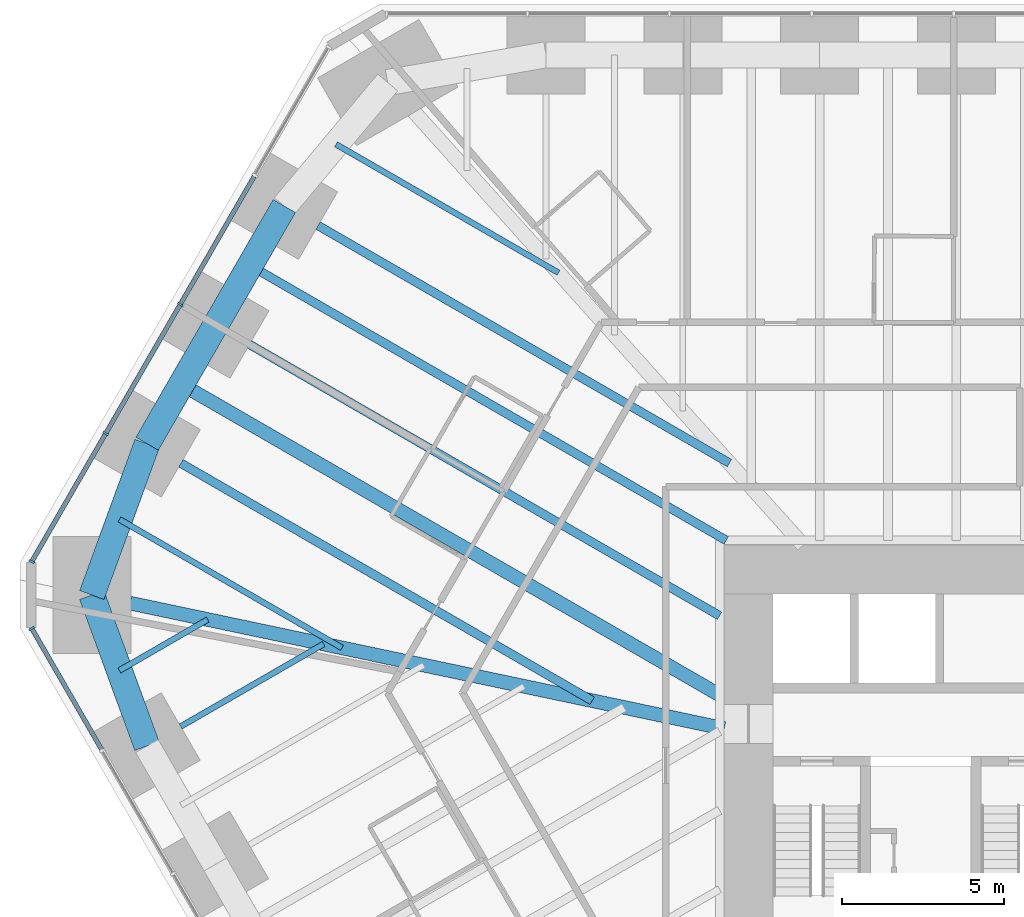
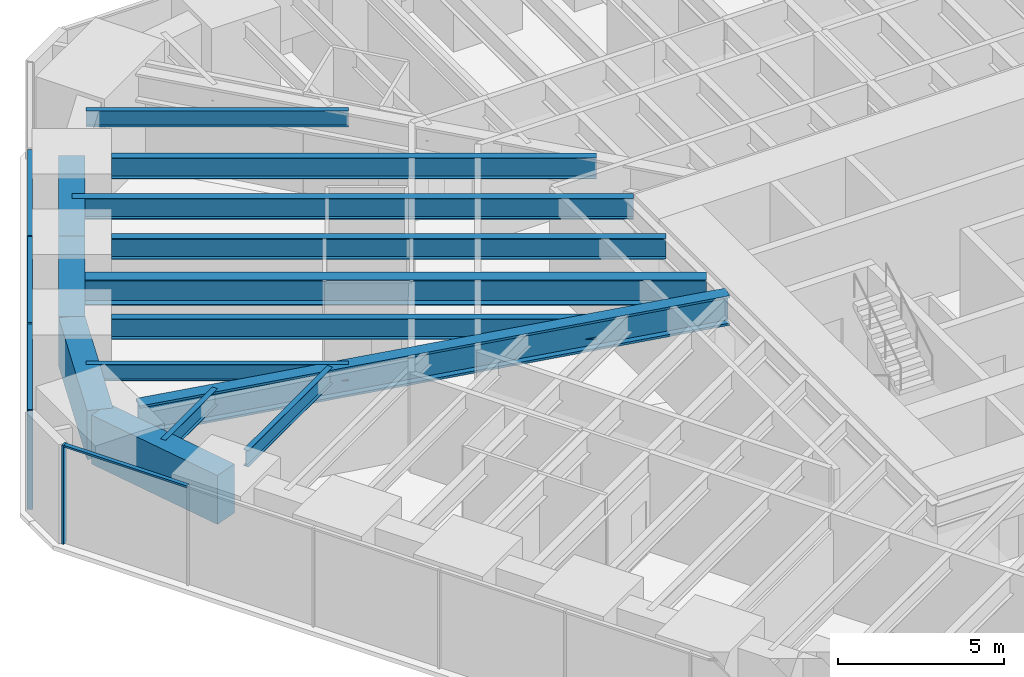
# One storey, part 7 of 17: 14 beams, 8 members, 2 elements without a shape of their own.
"""IFC4 building model written with IfcOpenShell, lengths in metres."""

from ifc_helpers import new_model, si_unit, direction, frame, origin, origin_2d, place, context, subcontext, project, spatial, rectangle, i_section, extrude, material, material_profile, profile_set, type_object, element, aggregate, save


model = new_model("IFC4")

# Units and contexts
model_context = context("Model", 3, precision=1e-05, world=origin(), true_north=direction((0.0, 1.0)))
body_context = subcontext(model_context, "Body", "Model", "MODEL_VIEW")
ifc_project = project(units=[si_unit("LENGTHUNIT", "METRE"), si_unit("AREAUNIT", "SQUARE_METRE"), si_unit("VOLUMEUNIT", "CUBIC_METRE"), si_unit("PLANEANGLEUNIT", "RADIAN"), si_unit("MASSUNIT", "GRAM", prefix="KILO")], contexts=[model_context])

# Site, building, storey
site_placement = place(None, origin())
site = spatial("IfcSite", under=ifc_project, at=site_placement, CompositionType="ELEMENT")
building_placement = place(site_placement, origin())
building = spatial("IfcBuilding", under=site, at=building_placement, Name="Sandreach Pilgrim Tower", CompositionType="ELEMENT")
storey_placement = place(building_placement, frame((0.0, 0.0, 34.39990234375)))
storey = spatial("IfcBuildingStorey", under=building, at=storey_placement, Name="L07", CompositionType="ELEMENT", Elevation=34.39990234375)

# Curtain wall, member
ifc_material_1 = material(Name="Aluminium framed curtain wall", Category="aluminium")
curtain_wall_type = type_object("IfcCurtainWallType", Name="Hostel tower curtain wall", PredefinedType="NOTDEFINED", material=ifc_material_1)
curtain_wall_1_placement = place(storey_placement, origin())
curtain_wall_1 = element("IfcCurtainWall", 1, at=curtain_wall_1_placement, inside=storey, type_object=curtain_wall_type, Name="CW-1 L07 SW", PredefinedType="NOTDEFINED")
ifc_material_2 = material(Name="Aluminium extrusion", Category="aluminium")
ifc_material_profile_1 = material_profile(ifc_material_2, rectangle(XDim=0.06494140625, YDim=0.179931640625, at=origin_2d()), Name="CW-1M 65X180")
ifc_profile_set_1 = profile_set([ifc_material_profile_1], Name="Aluminium extrusion")
member_type_1 = type_object("IfcMemberType", Name="CW-1 mullion", PredefinedType="MULLION", material=ifc_profile_set_1)
member_1_placement = place(storey_placement, frame((-30.56005859375, 5.033935546875, 0.0), z_axis=(0.0, 0.0, 1.0), x_axis=(-0.5, 0.866025403784, 0.0)))
member_1 = element("IfcMember", 2, at=member_1_placement, type_object=member_type_1, Name="CW-1 mullion 10", PredefinedType="MULLION", context=body_context, shape_type="SweptSolid", body=[
    extrude(rectangle(XDim=0.06494140625, YDim=0.179931640625, at=origin_2d()), origin(), (0.0, 0.0, 1.0), 3.64013671875),
])

# Curtain wall, members
curtain_wall_2_placement = place(storey_placement, origin())
curtain_wall_2 = element("IfcCurtainWall", 3, at=curtain_wall_2_placement, inside=storey, type_object=curtain_wall_type, Name="CW-1 L07 NW", PredefinedType="NOTDEFINED")
member_2_placement = place(storey_placement, frame((-30.56005859375, 7.09033203125, 0.0), z_axis=(0.0, 0.0, 1.0), x_axis=(0.5, 0.866025403784, 0.0)))
member_2 = element("IfcMember", 4, at=member_2_placement, type_object=member_type_1, Name="CW-1 mullion 1", PredefinedType="MULLION", context=body_context, shape_type="SweptSolid", body=[
    extrude(rectangle(XDim=0.06494140625, YDim=0.179931640625, at=origin_2d()), origin(), (0.0, 0.0, 1.0), 3.64013671875),
])
member_3_placement = place(storey_placement, frame((-28.283203125, 11.03369140625, 0.0), z_axis=(0.0, 0.0, 1.0), x_axis=(0.5, 0.866025403784, 0.0)))
member_3 = element("IfcMember", 5, at=member_3_placement, type_object=member_type_1, Name="CW-1 mullion 2", PredefinedType="MULLION", context=body_context, shape_type="SweptSolid", body=[
    extrude(rectangle(XDim=0.06494140625, YDim=0.179931640625, at=origin_2d()), origin(), (0.0, 0.0, 1.0), 3.64013671875),
])
member_4_placement = place(storey_placement, frame((-25.990234375, 15.00537109375, 0.0), z_axis=(0.0, 0.0, 1.0), x_axis=(0.5, 0.866025403784, 0.0)))
member_4 = element("IfcMember", 6, at=member_4_placement, type_object=member_type_1, Name="CW-1 mullion 3", PredefinedType="MULLION", context=body_context, shape_type="SweptSolid", body=[
    extrude(rectangle(XDim=0.06494140625, YDim=0.179931640625, at=origin_2d()), origin(), (0.0, 0.0, 1.0), 3.64013671875),
])

# Member
ifc_material_3 = material(Name="Aluminium extrusion", Category="aluminium")
ifc_material_profile_2 = material_profile(ifc_material_3, rectangle(XDim=0.139892578125, YDim=0.070068359375, at=origin_2d()), Name="CW-1T 140X70")
ifc_profile_set_2 = profile_set([ifc_material_profile_2], Name="Aluminium extrusion")
member_type_2 = type_object("IfcMemberType", Name="CW-1 transom", PredefinedType="USERDEFINED", material=ifc_profile_set_2)
member_5_placement = place(storey_placement, frame((-28.40673828125, 1.304443359375, 3.60498046875), z_axis=(-0.499991113271, 0.866030534479, 0.0), x_axis=(-0.866030534479, -0.499991113271, 0.0)))
member_5 = element("IfcMember", 7, at=member_5_placement, type_object=member_type_2, Name="CW-1 head transom 9", ObjectType="TRANSOM", PredefinedType="USERDEFINED", context=body_context, shape_type="SweptSolid", body=[
    extrude(rectangle(XDim=0.139892578125, YDim=0.070068359375, at=origin_2d()), origin(), (0.0, 0.0, 1.0), 4.27392578125),
])

aggregate(curtain_wall_1, [member_1, member_5])

member_6_placement = place(storey_placement, frame((-30.543701171875, 7.118408203125, 3.60498046875), z_axis=(0.499976706761, 0.866038851724, 0.0), x_axis=(-0.866038851724, 0.499976706761, 0.0)))
member_6 = element("IfcMember", 8, at=member_6_placement, type_object=member_type_2, Name="CW-1 head transom 1", ObjectType="TRANSOM", PredefinedType="USERDEFINED", context=body_context, shape_type="SweptSolid", body=[
    extrude(rectangle(XDim=0.139892578125, YDim=0.070068359375, at=origin_2d()), origin(), (0.0, 0.0, 1.0), 4.488525390625),
])

member_7_placement = place(storey_placement, frame((-28.266845703125, 11.06201171875, 3.60498046875), z_axis=(0.500001366228, 0.866024614991, 0.0), x_axis=(-0.866024614991, 0.500001366228, 0.0)))
member_7 = element("IfcMember", 9, at=member_7_placement, type_object=member_type_2, Name="CW-1 head transom 2", ObjectType="TRANSOM", PredefinedType="USERDEFINED", context=body_context, shape_type="SweptSolid", body=[
    extrude(rectangle(XDim=0.139892578125, YDim=0.070068359375, at=origin_2d()), origin(), (0.0, 0.0, 1.0), 4.52099609375),
])

member_8_placement = place(storey_placement, frame((-25.973876953125, 15.03369140625, 3.60498046875), z_axis=(0.500001366228, 0.866024614991, 0.0), x_axis=(-0.866024614991, 0.500001366228, 0.0)))
member_8 = element("IfcMember", 10, at=member_8_placement, type_object=member_type_2, Name="CW-1 head transom 3", ObjectType="TRANSOM", PredefinedType="USERDEFINED", context=body_context, shape_type="SweptSolid", body=[
    extrude(rectangle(XDim=0.139892578125, YDim=0.070068359375, at=origin_2d()), origin(), (0.0, 0.0, 1.0), 4.52099609375),
])

aggregate(curtain_wall_2, [member_2, member_3, member_4, member_6, member_7, member_8])

# Beams
ifc_material_4 = material(Name="Steel ASTM A992 Grade 50", Category="steel")
ifc_material_profile_3 = material_profile(ifc_material_4, i_section(OverallWidth=0.424072265625, OverallDepth=1.09228515625, WebThickness=0.04541015625, FlangeThickness=0.08203125, at=origin_2d()), Name="W40X593")
ifc_profile_set_3 = profile_set([ifc_material_profile_3], Name="Steel ASTM A992 Grade 50")
beam_type_1 = type_object("IfcBeamType", Name="Corner girder W40X593", PredefinedType="BEAM", material=ifc_profile_set_3)
beam_1_placement = place(storey_placement, frame((-27.53857421875, 5.814208984375, 3.093994140625), z_axis=(0.978429884383, -0.206579189045, 0.0), x_axis=(0.206579189045, 0.978429884383, 0.0)))
element("IfcBeam", 11, at=beam_1_placement, inside=storey, type_object=beam_type_1, Name="BM L07 CG35", PredefinedType="BEAM", context=body_context, shape_type="SweptSolid", body=[
    extrude(i_section(OverallWidth=0.424072265625, OverallDepth=1.09228515625, WebThickness=0.04541015625, FlangeThickness=0.08203125, at=origin_2d()), origin(), (0.0, 0.0, 1.0), 18.691650390625),
])
ifc_material_5 = material(Name="Steel ASTM A992 Grade 50", Category="steel")
ifc_material_profile_4 = material_profile(ifc_material_5, i_section(OverallWidth=0.1787109375, OverallDepth=0.60205078125, WebThickness=0.010986328125, FlangeThickness=0.014892578125, at=origin_2d()), Name="W24X62")
ifc_profile_set_4 = profile_set([ifc_material_profile_4], Name="Steel ASTM A992 Grade 50")
beam_type_2 = type_object("IfcBeamType", Name="Floor beam W24X62", PredefinedType="BEAM", material=ifc_profile_set_4)
beam_2_placement = place(storey_placement, frame((-25.97705078125, 2.016357421875, 3.339111328125), z_axis=(0.866027897259, 0.49999568115, 0.0), x_axis=(-0.49999568115, 0.866027897259, 0.0)))
element("IfcBeam", 12, at=beam_2_placement, inside=storey, type_object=beam_type_2, Name="BM L07 F34", PredefinedType="BEAM", context=body_context, shape_type="SweptSolid", body=[
    extrude(i_section(OverallWidth=0.1787109375, OverallDepth=0.60205078125, WebThickness=0.010986328125, FlangeThickness=0.014892578125, at=origin_2d()), origin(), (0.0, 0.0, 1.0), 5.0791015625),
])
beam_3_placement = place(storey_placement, frame((-27.864501953125, 3.7392578125, 3.339111328125), z_axis=(0.866023718453, 0.500002919068, 0.0), x_axis=(-0.500002919068, 0.866023718453, 0.0)))
element("IfcBeam", 13, at=beam_3_placement, inside=storey, type_object=beam_type_2, Name="BM L07 FM34", PredefinedType="BEAM", context=body_context, shape_type="SweptSolid", body=[
    extrude(i_section(OverallWidth=0.1787109375, OverallDepth=0.60205078125, WebThickness=0.010986328125, FlangeThickness=0.014892578125, at=origin_2d()), origin(), (0.0, 0.0, 1.0), 3.1396484375),
])
for number, where, z_axis, x_axis, name in (
    (14, (-27.861328125, 8.390380859375, 3.339111328125), (0.866028778003, -0.499994155636, 0.0), (0.499994155636, 0.866028778003, 0.0), "BM L07 FM35"),
    (15, (-21.197021484375, 19.933349609375, 3.339111328125), (0.866028778003, -0.499994155636, 0.0), (0.499994155636, 0.866028778003, 0.0), "BM L07 FM38"),
):
    element("IfcBeam", number, at=place(storey_placement, frame(where, z_axis=z_axis, x_axis=x_axis)), inside=storey, type_object=beam_type_2, Name=name, PredefinedType="BEAM", context=body_context, shape_type="SweptSolid", body=[
        extrude(i_section(OverallWidth=0.1787109375, OverallDepth=0.60205078125, WebThickness=0.010986328125, FlangeThickness=0.014892578125, at=origin_2d()), origin(), (0.0, 0.0, 1.0), 7.90771484375),
    ])
ifc_material_6 = material(Name="Steel ASTM A992 Grade 50", Category="steel")
ifc_material_profile_5 = material_profile(ifc_material_6, i_section(OverallWidth=0.2666015625, OverallDepth=0.761962890625, WebThickness=0.014404296875, FlangeThickness=0.021484375, at=origin_2d()), Name="W30X116")
ifc_profile_set_5 = profile_set([ifc_material_profile_5], Name="Steel ASTM A992 Grade 50")
beam_type_3 = type_object("IfcBeamType", Name="Floor beam W30X116", PredefinedType="BEAM", material=ifc_profile_set_5)
for number, where, z_axis, x_axis, name in (
    (16, (-25.970947265625, 10.118896484375, 3.259033203125), (0.866020355572, -0.500008743658, 0.0), (0.500008743658, 0.866020355572, 0.0), "BM L07 F36"),
    (17, (-21.74853515625, 17.43212890625, 3.259033203125), (0.866020355572, -0.500008743658, 0.0), (0.500008743658, 0.866020355572, 0.0), "BM L07 F38"),
):
    element("IfcBeam", number, at=place(storey_placement, frame(where, z_axis=z_axis, x_axis=x_axis)), inside=storey, type_object=beam_type_3, Name=name, PredefinedType="BEAM", context=body_context, shape_type="SweptSolid", body=[
        extrude(i_section(OverallWidth=0.2666015625, OverallDepth=0.761962890625, WebThickness=0.014404296875, FlangeThickness=0.021484375, at=origin_2d()), origin(), (0.0, 0.0, 1.0), 14.615966796875),
    ])
ifc_material_7 = material(Name="Steel ASTM A992 Grade 50", Category="steel")
ifc_material_profile_6 = material_profile(ifc_material_7, i_section(OverallWidth=0.2666015625, OverallDepth=0.77978515625, WebThickness=0.0166015625, FlangeThickness=0.030029296875, at=origin_2d()), Name="W30X148")
ifc_profile_set_6 = profile_set([ifc_material_profile_6], Name="Steel ASTM A992 Grade 50")
beam_type_4 = type_object("IfcBeamType", Name="Floor beam W30X148", PredefinedType="BEAM", material=ifc_profile_set_6)
beam_4_placement = place(storey_placement, frame((-23.85986328125, 13.775390625, 3.250244140625), z_axis=(0.866031037473, -0.499990242038, 0.0), x_axis=(0.499990242038, 0.866031037473, 0.0)))
element("IfcBeam", 18, at=beam_4_placement, inside=storey, type_object=beam_type_4, Name="BM L07 F37", PredefinedType="BEAM", context=body_context, shape_type="SweptSolid", body=[
    extrude(i_section(OverallWidth=0.2666015625, OverallDepth=0.77978515625, WebThickness=0.0166015625, FlangeThickness=0.030029296875, at=origin_2d()), origin(), (0.0, 0.0, 1.0), 16.704345703125),
])
beam_5_placement = place(storey_placement, frame((-23.843505859375, 16.203857421875, 3.250244140625), z_axis=(0.866027248123, -0.499996805499, 0.0), x_axis=(0.499996805499, 0.866027248123, 0.0)))
element("IfcBeam", 19, at=beam_5_placement, inside=storey, type_object=beam_type_4, Name="BM L07 FM37", PredefinedType="BEAM", context=body_context, shape_type="SweptSolid", body=[
    extrude(i_section(OverallWidth=0.2666015625, OverallDepth=0.77978515625, WebThickness=0.0166015625, FlangeThickness=0.030029296875, at=origin_2d()), origin(), (0.0, 0.0, 1.0), 16.9208984375),
])
ifc_material_8 = material(Name="Steel ASTM A992 Grade 50", Category="steel")
ifc_material_profile_7 = material_profile(ifc_material_8, i_section(OverallWidth=0.419189453125, OverallDepth=0.927001953125, WebThickness=0.019287109375, FlangeThickness=0.031982421875, at=origin_2d()), Name="W36X231")
ifc_profile_set_7 = profile_set([ifc_material_profile_7], Name="Steel ASTM A992 Grade 50")
beam_type_5 = type_object("IfcBeamType", Name="Floor beam W36X231", PredefinedType="BEAM", material=ifc_profile_set_7)
beam_6_placement = place(storey_placement, frame((-25.95458984375, 12.547119140625, 3.176513671875), z_axis=(0.866028474707, -0.499994680968, 0.0), x_axis=(0.499994680968, 0.866028474707, 0.0)))
element("IfcBeam", 20, at=beam_6_placement, inside=storey, type_object=beam_type_5, Name="BM L07 FM36", PredefinedType="BEAM", context=body_context, shape_type="SweptSolid", body=[
    extrude(i_section(OverallWidth=0.419189453125, OverallDepth=0.927001953125, WebThickness=0.019287109375, FlangeThickness=0.031982421875, at=origin_2d()), origin(), (0.0, 0.0, 1.0), 19.123291015625),
])
ifc_material_9 = material(Name="Concrete 10000 psi", Category="concrete")
ifc_material_profile_8 = material_profile(ifc_material_9, rectangle(XDim=0.800048828125, YDim=1.800048828125, at=origin_2d()), Name="RC800X1800")
ifc_profile_set_8 = profile_set([ifc_material_profile_8], Name="Concrete 10000 psi")
beam_type_6 = type_object("IfcBeamType", Name="Spandrel beam RC800X1800", PredefinedType="SPANDREL", material=ifc_profile_set_8)
beam_7_placement = place(storey_placement, frame((-27.016357421875, 1.416259765625, 2.739990234375), z_axis=(-0.342963480301, 0.939348737786, 0.0), x_axis=(-0.939348737786, -0.342963480301, 0.0)))
element("IfcBeam", 21, at=beam_7_placement, inside=storey, type_object=beam_type_6, Name="BM L07 SP34", PredefinedType="SPANDREL", context=body_context, shape_type="SweptSolid", body=[
    extrude(rectangle(XDim=0.800048828125, YDim=1.800048828125, at=origin_2d()), origin(), (0.0, 0.0, 1.0), 4.946044921875),
])
beam_8_placement = place(storey_placement, frame((-28.712646484375, 6.062255859375, 2.739990234375), z_axis=(0.343367552823, 0.939201109278, 0.0), x_axis=(-0.939201109278, 0.343367552823, 0.0)))
element("IfcBeam", 22, at=beam_8_placement, inside=storey, type_object=beam_type_6, Name="BM L07 SP35", PredefinedType="SPANDREL", context=body_context, shape_type="SweptSolid", body=[
    extrude(rectangle(XDim=0.800048828125, YDim=1.800048828125, at=origin_2d()), origin(), (0.0, 0.0, 1.0), 4.9580078125),
])
beam_9_placement = place(storey_placement, frame((-27.01025390625, 10.71875, 2.739990234375), z_axis=(0.500019412692, 0.866014195571, 0.0), x_axis=(-0.866014195571, 0.500019412692, 0.0)))
element("IfcBeam", 23, at=beam_9_placement, inside=storey, type_object=beam_type_6, Name="BM L07 SP36", PredefinedType="SPANDREL", context=body_context, shape_type="SweptSolid", body=[
    extrude(rectangle(XDim=0.800048828125, YDim=1.800048828125, at=origin_2d()), origin(), (0.0, 0.0, 1.0), 4.222412109375),
])
beam_10_placement = place(storey_placement, frame((-24.89892578125, 14.37548828125, 2.739990234375), z_axis=(0.500001084989, 0.866024777365, 0.0), x_axis=(-0.866024777365, 0.500001084989, 0.0)))
element("IfcBeam", 24, at=beam_10_placement, inside=storey, type_object=beam_type_6, Name="BM L07 SP37", PredefinedType="SPANDREL", context=body_context, shape_type="SweptSolid", body=[
    extrude(rectangle(XDim=0.800048828125, YDim=1.800048828125, at=origin_2d()), origin(), (0.0, 0.0, 1.0), 4.22216796875),
])

save(model, "model.ifc")
